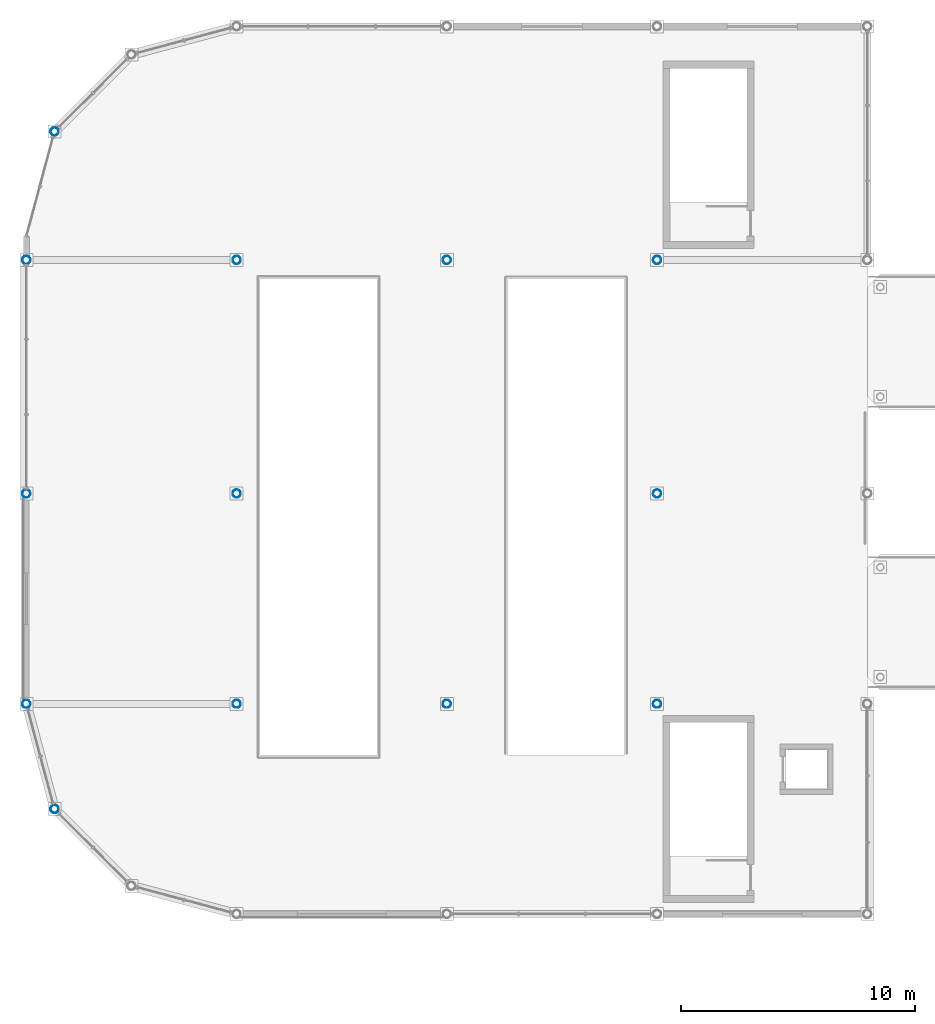
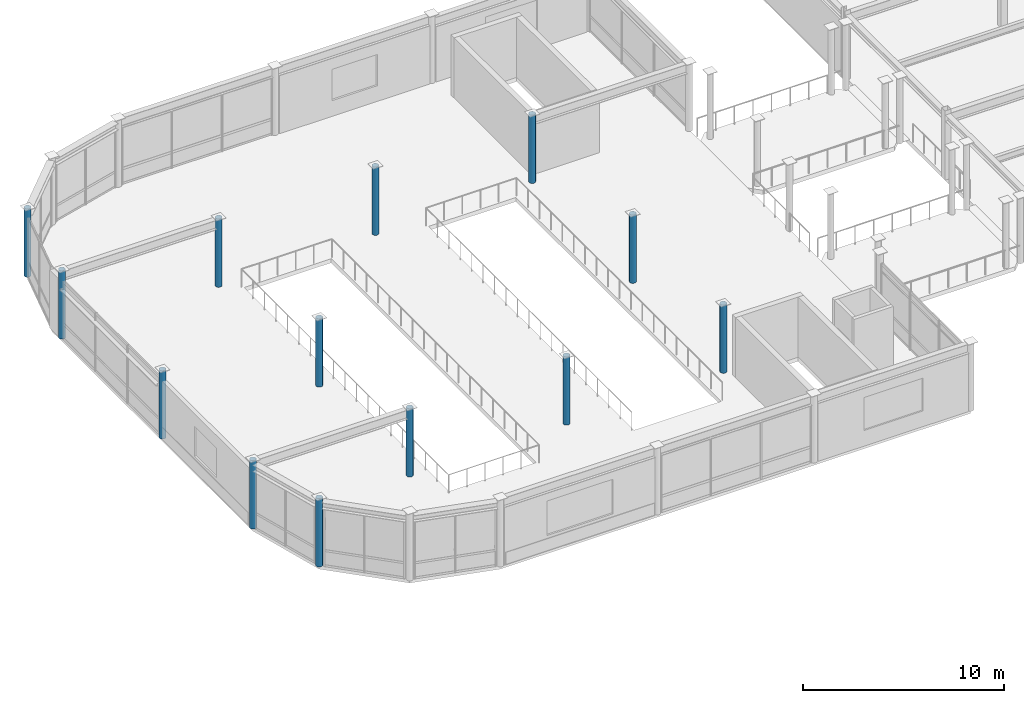
# One storey, part 4 of 53: 13 columns.
"""IFC4 building model written with IfcOpenShell, lengths in metres."""

from ifc_helpers import new_model, si_unit, direction, frame, origin, origin_2d, place, context, subcontext, project, spatial, hollow_circle, extrude, material, material_profile, profile_set, type_object, element, save


model = new_model("IFC4")

# Units and contexts
model_context = context("Model", 3, precision=1e-05, world=origin(), true_north=direction((0.0, 1.0)))
body_context = subcontext(model_context, "Body", "Model", "MODEL_VIEW")
ifc_project = project(units=[si_unit("LENGTHUNIT", "METRE"), si_unit("AREAUNIT", "SQUARE_METRE"), si_unit("VOLUMEUNIT", "CUBIC_METRE"), si_unit("PLANEANGLEUNIT", "RADIAN"), si_unit("MASSUNIT", "GRAM", prefix="KILO")], contexts=[model_context])

# Site, building, storey
site_placement = place(None, origin())
site = spatial("IfcSite", under=ifc_project, at=site_placement, CompositionType="ELEMENT")
building_placement = place(site_placement, origin())
building = spatial("IfcBuilding", under=site, at=building_placement, Name="Suzunagisa Mobility Hub", CompositionType="ELEMENT")
storey_placement = place(building_placement, frame((0.0, 0.0, 17.699951171875)))
storey = spatial("IfcBuildingStorey", under=building, at=storey_placement, Name="L04", CompositionType="ELEMENT", Elevation=17.699951171875)

# Columns
ifc_material = material(Name="Steel SN490B", Category="steel")
ifc_material_profile = material_profile(ifc_material, hollow_circle(Radius=0.177734375, WallThickness=0.0126953125, at=origin_2d()), Name="CHS-355.6x12.7")
ifc_profile_set = profile_set([ifc_material_profile], Name="Steel SN490B")
column_type = type_object("IfcColumnType", Name="Steel Column CL-18 CHS-355.6x12.7", PredefinedType="COLUMN", material=ifc_profile_set)
for number, where, z_axis, x_axis, name in (
    (1, (0.0, 89.0, 0.0), (0.0, 0.0, 1.0), (1.0, 0.0, 0.0), "L04 Column 8"),
    (2, (0.0, 98.0, 0.0), (0.0, 0.0, 1.0), (1.0, 0.0, 0.0), "L04 Column 9"),
    (3, (0.0, 108.0, 0.0), (0.0, 0.0, 1.0), (1.0, 0.0, 0.0), "L04 Column 10"),
    (4, (1.205810546875, 84.5, 0.0), (0.0, 0.0, 1.0), (1.0, 0.0, 0.0), "L04 Column 13"),
    (5, (1.205810546875, 113.5, 0.0), (0.0, 0.0, 1.0), (1.0, 0.0, 0.0), "L04 Column 14"),
    (6, (9.0, 89.0, 0.0), (0.0, 0.0, 1.0), (1.0, 0.0, 0.0), "L04 Column 29"),
    (7, (9.0, 98.0, 0.0), (0.0, 0.0, 1.0), (1.0, 0.0, 0.0), "L04 Column 30"),
    (8, (9.0, 108.0, 0.0), (0.0, 0.0, 1.0), (1.0, 0.0, 0.0), "L04 Column 31"),
    (9, (18.0, 89.0, 0.0), (0.0, 0.0, 1.0), (1.0, 0.0, 0.0), "L04 Column 51"),
    (10, (18.0, 108.0, 0.0), (0.0, 0.0, 1.0), (1.0, 0.0, 0.0), "L04 Column 52"),
    (11, (27.0, 89.0, 0.0), (0.0, 0.0, 1.0), (1.0, 0.0, 0.0), "L04 Column 71"),
    (12, (27.0, 98.0, 0.0), (0.0, 0.0, 1.0), (1.0, 0.0, 0.0), "L04 Column 72"),
    (13, (27.0, 108.0, 0.0), (0.0, 0.0, 1.0), (1.0, 0.0, 0.0), "L04 Column 73"),
):
    element("IfcColumn", number, at=place(storey_placement, frame(where, z_axis=z_axis, x_axis=x_axis)), inside=storey, type_object=column_type, Name=name, PredefinedType="COLUMN", context=body_context, shape_type="SweptSolid", body=[
        extrude(hollow_circle(Radius=0.177734375, WallThickness=0.0126953125, at=origin_2d()), origin(), (0.0, 0.0, 1.0), 4.14013671875),
    ])

save(model, "model.ifc")
